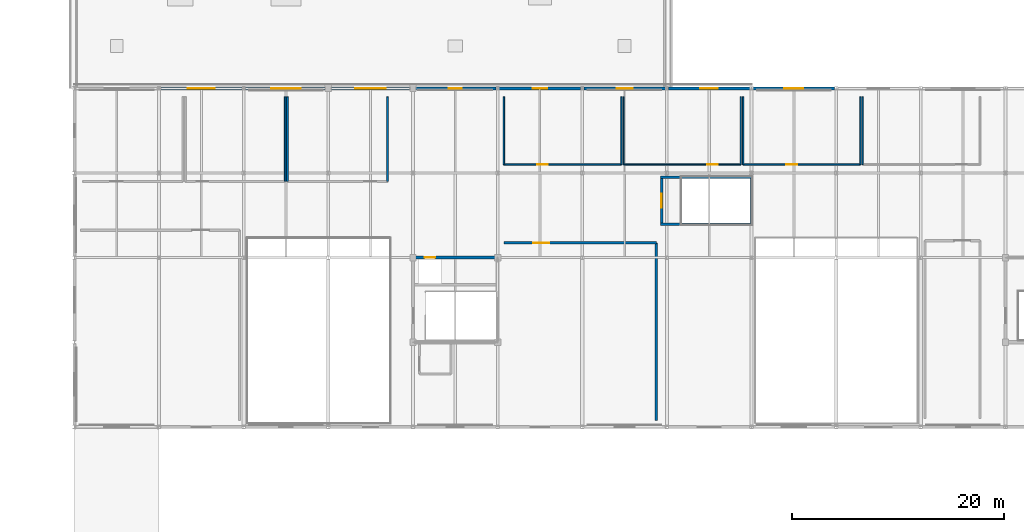
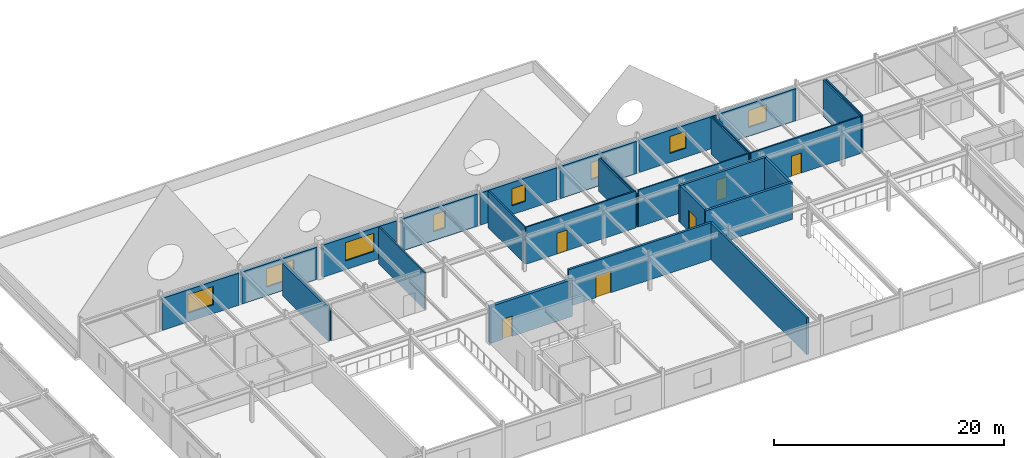
# One storey, part 80 of 88: 28 walls, 8 windows, 6 doors, 14 openings.
"""IFC4 building model written with IfcOpenShell, lengths in metres."""

from ifc_helpers import new_model, si_unit, direction, frame, frame_2d, origin, place, context, subcontext, project, spatial, rectangle, extrude, material, layer, layer_set, type_object, element, fill, save


model = new_model("IFC4")

# Units and contexts
model_context = context("Model", 3, precision=1e-05, world=origin(), true_north=direction((0.0, 1.0)))
body_context = subcontext(model_context, "Body", "Model", "MODEL_VIEW")
ifc_project = project(units=[si_unit("LENGTHUNIT", "METRE"), si_unit("AREAUNIT", "SQUARE_METRE"), si_unit("VOLUMEUNIT", "CUBIC_METRE"), si_unit("PLANEANGLEUNIT", "RADIAN"), si_unit("MASSUNIT", "GRAM", prefix="KILO")], contexts=[model_context])

# Site, building, storey
site_placement = place(None, origin())
site = spatial("IfcSite", under=ifc_project, at=site_placement, CompositionType="ELEMENT")
building_placement = place(site_placement, origin())
building = spatial("IfcBuilding", under=site, at=building_placement, Name="Zhaolan Boulevard Law Courts", CompositionType="ELEMENT")
storey_placement = place(building_placement, frame((0.0, 0.0, 16.199951171875)))
storey = spatial("IfcBuildingStorey", under=building, at=storey_placement, Name="L03", CompositionType="ELEMENT", Elevation=16.199951171875)

# Wall, opening, door
ifc_material_1 = material(Name="Concrete C50", Category="concrete")
ifc_layer_1 = layer(ifc_material_1, 0.300048828125)
ifc_layer_set_1 = layer_set([ifc_layer_1])
wall_type_1 = type_object("IfcWallType", Name="CORE SHEAR WALL 300", PredefinedType="SHEAR", material=ifc_layer_set_1)
wall_1_placement = place(storey_placement, frame((92.14990234375, 78.0, 0.0), z_axis=(0.0, 0.0, 1.0), x_axis=(-1.0, 0.0, 0.0)))
wall_1 = element("IfcWall", 1, at=wall_1_placement, inside=storey, type_object=wall_type_1, Name="Core Shear Wall CW-T1-L03N", PredefinedType="SHEAR", context=body_context, shape_type="SweptSolid", body=[
    extrude(rectangle(XDim=8.2998046875, YDim=0.300048828125, at=frame_2d((4.14990234375, 0.0))), origin(), (0.0, 0.0, 1.0), 3.920166015625),
])
opening_1_placement = place(wall_1_placement, frame((6.050048828125, 0.0, 0.0)))
opening_1 = element("IfcOpeningElement", 2, at=opening_1_placement, cuts=wall_1, Name="Opening LD-PL-03-L03", PredefinedType="OPENING", context=body_context, shape_type="SweptSolid", body=[
    extrude(rectangle(XDim=1.0, YDim=2.14990234375, at=frame_2d((0.5, 1.074951171875))), frame((0.0, 0.159912109375, 0.0), z_axis=(0.0, -1.0, 0.0), x_axis=(1.0, 0.0, 0.0)), (0.0, 0.0, 1.0), 0.320068359375),
])
ifc_material_2 = material(Name="Stainless steel sliding landing door", Category="steel")
door_type_1 = type_object("IfcDoorType", Name="LIFT LANDING 1000X2150", OperationType="DOUBLE_DOOR_SLIDING", PredefinedType="DOOR", material=ifc_material_2)
door_1_placement = place(opening_1_placement, origin())
door_1 = element("IfcDoor", 3, at=door_1_placement, inside=storey, type_object=door_type_1, Name="Lift Landing Sliding Door LD-PL-03-L03", OperationType="DOUBLE_DOOR_SLIDING", OverallHeight=2.14990234375, OverallWidth=1.0, PredefinedType="DOOR", context=body_context, shape_type="SweptSolid", body=[
    extrude(rectangle(XDim=1.0, YDim=2.14990234375, at=frame_2d((0.5, 1.074951171875))), frame((0.0, 0.02490234375, 0.0), z_axis=(0.0, -1.0, 0.0), x_axis=(1.0, 0.0, 0.0)), (0.0, 0.0, 1.0), 0.050048828125),
])
fill(opening_1, door_1)

# Wall, opening, window
ifc_material_3 = material(Name="Concrete C40", Category="concrete")
ifc_layer_2 = layer(ifc_material_3, 0.300048828125)
ifc_layer_set_2 = layer_set([ifc_layer_2])
wall_type_2 = type_object("IfcWallType", Name="EXT WALL CONCRETE300", PredefinedType="SOLIDWALL", material=ifc_layer_set_2)
wall_2_placement = place(storey_placement, frame((67.85400390625, 94.0, 0.0), z_axis=(0.0, 0.0, 1.0), x_axis=(-1.0, 0.0, 0.0)))
wall_2 = element("IfcWall", 4, at=wall_2_placement, inside=storey, type_object=wall_type_2, Name="Exterior Wall EW-L03-285", PredefinedType="SOLIDWALL", context=body_context, shape_type="SweptSolid", body=[
    extrude(rectangle(XDim=7.7080078125, YDim=0.300048828125, at=frame_2d((3.85400390625, 0.0))), origin(), (0.0, 0.0, 1.0), 3.423095703125),
])
opening_2_placement = place(wall_2_placement, frame((2.5791015625, 0.0, 0.949951171875)))
opening_2 = element("IfcOpeningElement", 5, at=opening_2_placement, cuts=wall_2, Name="Opening WIN-L03-142", PredefinedType="OPENING", context=body_context, shape_type="SweptSolid", body=[
    extrude(rectangle(XDim=2.550048828125, YDim=1.949951171875, at=frame_2d((1.27490234375, 0.97509765625))), frame((0.0, 0.159912109375, 0.0), z_axis=(0.0, -1.0, 0.0), x_axis=(1.0, 0.0, 0.0)), (0.0, 0.0, 1.0), 0.320068359375),
])
ifc_material_4 = material(Name="Thermally broken aluminium and low-E glazing", Category="aluminium")
window_type_1 = type_object("IfcWindowType", Name="WINDOW 2550X1950", PartitioningType="DOUBLE_PANEL_VERTICAL", PredefinedType="WINDOW", material=ifc_material_4)
window_1_placement = place(opening_2_placement, origin())
window_1 = element("IfcWindow", 6, at=window_1_placement, inside=storey, type_object=window_type_1, Name="Exterior Window WIN-L03-142", OverallHeight=1.949951171875, OverallWidth=2.550048828125, PartitioningType="SINGLE_PANEL", PredefinedType="WINDOW", context=body_context, shape_type="SweptSolid", body=[
    extrude(rectangle(XDim=2.550048828125, YDim=1.949951171875, at=frame_2d((1.27490234375, 0.97509765625))), frame((0.0, 0.030029296875, 0.0), z_axis=(0.0, -1.0, 0.0), x_axis=(1.0, 0.0, 0.0)), (0.0, 0.0, 1.0), 0.06005859375),
])
fill(opening_2, window_1)

wall_3_placement = place(storey_placement, frame((75.7041015625, 94.0, 0.0), z_axis=(0.0, 0.0, 1.0), x_axis=(-1.0, 0.0, 0.0)))
wall_3 = element("IfcWall", 7, at=wall_3_placement, inside=storey, type_object=wall_type_2, Name="Exterior Wall EW-L03-286", PredefinedType="SOLIDWALL", context=body_context, shape_type="SweptSolid", body=[
    extrude(rectangle(XDim=7.55810546875, YDim=0.300048828125, at=frame_2d((3.779052734375, 0.0))), origin(), (0.0, 0.0, 1.0), 3.423095703125),
])
opening_3_placement = place(wall_3_placement, frame((2.3291015625, 0.0, 0.949951171875)))
opening_3 = element("IfcOpeningElement", 8, at=opening_3_placement, cuts=wall_3, Name="Opening WIN-L03-143", PredefinedType="OPENING", context=body_context, shape_type="SweptSolid", body=[
    extrude(rectangle(XDim=2.75, YDim=1.949951171875, at=frame_2d((1.375, 0.97509765625))), frame((0.0, 0.159912109375, 0.0), z_axis=(0.0, -1.0, 0.0), x_axis=(1.0, 0.0, 0.0)), (0.0, 0.0, 1.0), 0.320068359375),
])
ifc_material_5 = material(Name="Thermally broken aluminium and low-E glazing", Category="aluminium")
window_type_2 = type_object("IfcWindowType", Name="WINDOW 2750X1950", PartitioningType="DOUBLE_PANEL_VERTICAL", PredefinedType="WINDOW", material=ifc_material_5)
window_2_placement = place(opening_3_placement, origin())
window_2 = element("IfcWindow", 9, at=window_2_placement, inside=storey, type_object=window_type_2, Name="Exterior Window WIN-L03-143", OverallHeight=1.949951171875, OverallWidth=2.75, PartitioningType="SINGLE_PANEL", PredefinedType="WINDOW", context=body_context, shape_type="SweptSolid", body=[
    extrude(rectangle(XDim=2.75, YDim=1.949951171875, at=frame_2d((1.375, 0.97509765625))), frame((0.0, 0.030029296875, 0.0), z_axis=(0.0, -1.0, 0.0), x_axis=(1.0, 0.0, 0.0)), (0.0, 0.0, 1.0), 0.06005859375),
])
fill(opening_3, window_2)

wall_4_placement = place(storey_placement, frame((83.7041015625, 94.0, 0.0), z_axis=(0.0, 0.0, 1.0), x_axis=(-1.0, 0.0, 0.0)))
wall_4 = element("IfcWall", 10, at=wall_4_placement, inside=storey, type_object=wall_type_2, Name="Exterior Wall EW-L03-287", PredefinedType="SOLIDWALL", context=body_context, shape_type="SweptSolid", body=[
    extrude(rectangle(XDim=7.408203125, YDim=0.300048828125, at=frame_2d((3.7041015625, 0.0))), origin(), (0.0, 0.0, 1.0), 3.423095703125),
])
opening_4_placement = place(wall_4_placement, frame((2.25390625, 0.0, 0.949951171875)))
opening_4 = element("IfcOpeningElement", 11, at=opening_4_placement, cuts=wall_4, Name="Opening WIN-L03-144", PredefinedType="OPENING", context=body_context, shape_type="SweptSolid", body=[
    extrude(rectangle(XDim=2.89990234375, YDim=1.949951171875, at=frame_2d((1.449951171875, 0.97509765625))), frame((0.0, 0.159912109375, 0.0), z_axis=(0.0, -1.0, 0.0), x_axis=(1.0, 0.0, 0.0)), (0.0, 0.0, 1.0), 0.320068359375),
])
ifc_material_6 = material(Name="Thermally broken aluminium and low-E glazing", Category="aluminium")
window_type_3 = type_object("IfcWindowType", Name="WINDOW 2900X1950", PartitioningType="DOUBLE_PANEL_VERTICAL", PredefinedType="WINDOW", material=ifc_material_6)
window_3_placement = place(opening_4_placement, origin())
window_3 = element("IfcWindow", 12, at=window_3_placement, inside=storey, type_object=window_type_3, Name="Exterior Window WIN-L03-144", OverallHeight=1.949951171875, OverallWidth=2.89990234375, PartitioningType="SINGLE_PANEL", PredefinedType="WINDOW", context=body_context, shape_type="SweptSolid", body=[
    extrude(rectangle(XDim=2.89990234375, YDim=1.949951171875, at=frame_2d((1.449951171875, 0.97509765625))), frame((0.0, 0.030029296875, 0.0), z_axis=(0.0, -1.0, 0.0), x_axis=(1.0, 0.0, 0.0)), (0.0, 0.0, 1.0), 0.06005859375),
])
fill(opening_4, window_3)

wall_5_placement = place(storey_placement, frame((91.85400390625, 94.0, 0.0), z_axis=(0.0, 0.0, 1.0), x_axis=(-1.0, 0.0, 0.0)))
wall_5 = element("IfcWall", 13, at=wall_5_placement, inside=storey, type_object=wall_type_2, Name="Exterior Wall EW-L03-288", PredefinedType="SOLIDWALL", context=body_context, shape_type="SweptSolid", body=[
    extrude(rectangle(XDim=7.55810546875, YDim=0.300048828125, at=frame_2d((3.779052734375, 0.0))), origin(), (0.0, 0.0, 1.0), 3.423095703125),
])
opening_5_placement = place(wall_5_placement, frame((3.25390625, 0.0, 0.949951171875)))
opening_5 = element("IfcOpeningElement", 14, at=opening_5_placement, cuts=wall_5, Name="Opening WIN-L03-145", PredefinedType="OPENING", context=body_context, shape_type="SweptSolid", body=[
    extrude(rectangle(XDim=1.199951171875, YDim=1.800048828125, at=frame_2d((0.60009765625, 0.89990234375))), frame((0.0, 0.159912109375, 0.0), z_axis=(0.0, -1.0, 0.0), x_axis=(1.0, 0.0, 0.0)), (0.0, 0.0, 1.0), 0.320068359375),
])
ifc_material_7 = material(Name="Thermally broken aluminium and low-E glazing", Category="aluminium")
window_type_4 = type_object("IfcWindowType", Name="WINDOW 1200X1800", PartitioningType="SINGLE_PANEL", PredefinedType="WINDOW", material=ifc_material_7)
window_4_placement = place(opening_5_placement, origin())
window_4 = element("IfcWindow", 15, at=window_4_placement, inside=storey, type_object=window_type_4, Name="Exterior Window WIN-L03-145", OverallHeight=1.800048828125, OverallWidth=1.199951171875, PartitioningType="SINGLE_PANEL", PredefinedType="WINDOW", context=body_context, shape_type="SweptSolid", body=[
    extrude(rectangle(XDim=1.199951171875, YDim=1.800048828125, at=frame_2d((0.60009765625, 0.89990234375))), frame((0.0, 0.030029296875, 0.0), z_axis=(0.0, -1.0, 0.0), x_axis=(1.0, 0.0, 0.0)), (0.0, 0.0, 1.0), 0.06005859375),
])
fill(opening_5, window_4)

wall_6_placement = place(storey_placement, frame((99.85400390625, 94.0, 0.0), z_axis=(0.0, 0.0, 1.0), x_axis=(-1.0, 0.0, 0.0)))
wall_6 = element("IfcWall", 16, at=wall_6_placement, inside=storey, type_object=wall_type_2, Name="Exterior Wall EW-L03-289", PredefinedType="SOLIDWALL", context=body_context, shape_type="SweptSolid", body=[
    extrude(rectangle(XDim=7.7080078125, YDim=0.300048828125, at=frame_2d((3.85400390625, 0.0))), origin(), (0.0, 0.0, 1.0), 3.423095703125),
])
opening_6_placement = place(wall_6_placement, frame((3.178955078125, 0.0, 0.949951171875)))
opening_6 = element("IfcOpeningElement", 17, at=opening_6_placement, cuts=wall_6, Name="Opening WIN-L03-146", PredefinedType="OPENING", context=body_context, shape_type="SweptSolid", body=[
    extrude(rectangle(XDim=1.35009765625, YDim=1.800048828125, at=frame_2d((0.675048828125, 0.89990234375))), frame((0.0, 0.159912109375, 0.0), z_axis=(0.0, -1.0, 0.0), x_axis=(1.0, 0.0, 0.0)), (0.0, 0.0, 1.0), 0.320068359375),
])
ifc_material_8 = material(Name="Thermally broken aluminium and low-E glazing", Category="aluminium")
window_type_5 = type_object("IfcWindowType", Name="WINDOW 1350X1800", PartitioningType="SINGLE_PANEL", PredefinedType="WINDOW", material=ifc_material_8)
window_5_placement = place(opening_6_placement, origin())
window_5 = element("IfcWindow", 18, at=window_5_placement, inside=storey, type_object=window_type_5, Name="Exterior Window WIN-L03-146", OverallHeight=1.800048828125, OverallWidth=1.35009765625, PartitioningType="SINGLE_PANEL", PredefinedType="WINDOW", context=body_context, shape_type="SweptSolid", body=[
    extrude(rectangle(XDim=1.35009765625, YDim=1.800048828125, at=frame_2d((0.675048828125, 0.89990234375))), frame((0.0, 0.030029296875, 0.0), z_axis=(0.0, -1.0, 0.0), x_axis=(1.0, 0.0, 0.0)), (0.0, 0.0, 1.0), 0.06005859375),
])
fill(opening_6, window_5)

wall_7_placement = place(storey_placement, frame((107.85400390625, 94.0, 0.0), z_axis=(0.0, 0.0, 1.0), x_axis=(-1.0, 0.0, 0.0)))
wall_7 = element("IfcWall", 19, at=wall_7_placement, inside=storey, type_object=wall_type_2, Name="Exterior Wall EW-L03-290", PredefinedType="SOLIDWALL", context=body_context, shape_type="SweptSolid", body=[
    extrude(rectangle(XDim=7.7080078125, YDim=0.300048828125, at=frame_2d((3.85400390625, 0.0))), origin(), (0.0, 0.0, 1.0), 3.423095703125),
])
opening_7_placement = place(wall_7_placement, frame((3.10400390625, 0.0, 0.949951171875)))
opening_7 = element("IfcOpeningElement", 20, at=opening_7_placement, cuts=wall_7, Name="Opening WIN-L03-147", PredefinedType="OPENING", context=body_context, shape_type="SweptSolid", body=[
    extrude(rectangle(XDim=1.5, YDim=1.800048828125, at=frame_2d((0.75, 0.89990234375))), frame((0.0, 0.159912109375, 0.0), z_axis=(0.0, -1.0, 0.0), x_axis=(1.0, 0.0, 0.0)), (0.0, 0.0, 1.0), 0.320068359375),
])
ifc_material_9 = material(Name="Thermally broken aluminium and low-E glazing", Category="aluminium")
window_type_6 = type_object("IfcWindowType", Name="WINDOW 1500X1800", PartitioningType="SINGLE_PANEL", PredefinedType="WINDOW", material=ifc_material_9)
window_6_placement = place(opening_7_placement, origin())
window_6 = element("IfcWindow", 21, at=window_6_placement, inside=storey, type_object=window_type_6, Name="Exterior Window WIN-L03-147", OverallHeight=1.800048828125, OverallWidth=1.5, PartitioningType="SINGLE_PANEL", PredefinedType="WINDOW", context=body_context, shape_type="SweptSolid", body=[
    extrude(rectangle(XDim=1.5, YDim=1.800048828125, at=frame_2d((0.75, 0.89990234375))), frame((0.0, 0.030029296875, 0.0), z_axis=(0.0, -1.0, 0.0), x_axis=(1.0, 0.0, 0.0)), (0.0, 0.0, 1.0), 0.06005859375),
])
fill(opening_7, window_6)

wall_8_placement = place(storey_placement, frame((115.85400390625, 94.0, 0.0), z_axis=(0.0, 0.0, 1.0), x_axis=(-1.0, 0.0, 0.0)))
wall_8 = element("IfcWall", 22, at=wall_8_placement, inside=storey, type_object=wall_type_2, Name="Exterior Wall EW-L03-291", PredefinedType="SOLIDWALL", context=body_context, shape_type="SweptSolid", body=[
    extrude(rectangle(XDim=7.7080078125, YDim=0.300048828125, at=frame_2d((3.85400390625, 0.0))), origin(), (0.0, 0.0, 1.0), 3.423095703125),
])
opening_8_placement = place(wall_8_placement, frame((3.029052734375, 0.0, 0.949951171875)))
opening_8 = element("IfcOpeningElement", 23, at=opening_8_placement, cuts=wall_8, Name="Opening WIN-L03-148", PredefinedType="OPENING", context=body_context, shape_type="SweptSolid", body=[
    extrude(rectangle(XDim=1.64990234375, YDim=1.800048828125, at=frame_2d((0.824951171875, 0.89990234375))), frame((0.0, 0.159912109375, 0.0), z_axis=(0.0, -1.0, 0.0), x_axis=(1.0, 0.0, 0.0)), (0.0, 0.0, 1.0), 0.320068359375),
])
ifc_material_10 = material(Name="Thermally broken aluminium and low-E glazing", Category="aluminium")
window_type_7 = type_object("IfcWindowType", Name="WINDOW 1650X1800", PartitioningType="SINGLE_PANEL", PredefinedType="WINDOW", material=ifc_material_10)
window_7_placement = place(opening_8_placement, origin())
window_7 = element("IfcWindow", 24, at=window_7_placement, inside=storey, type_object=window_type_7, Name="Exterior Window WIN-L03-148", OverallHeight=1.800048828125, OverallWidth=1.64990234375, PartitioningType="SINGLE_PANEL", PredefinedType="WINDOW", context=body_context, shape_type="SweptSolid", body=[
    extrude(rectangle(XDim=1.64990234375, YDim=1.800048828125, at=frame_2d((0.824951171875, 0.89990234375))), frame((0.0, 0.030029296875, 0.0), z_axis=(0.0, -1.0, 0.0), x_axis=(1.0, 0.0, 0.0)), (0.0, 0.0, 1.0), 0.06005859375),
])
fill(opening_8, window_7)

wall_9_placement = place(storey_placement, frame((123.85400390625, 94.0, 0.0), z_axis=(0.0, 0.0, 1.0), x_axis=(-1.0, 0.0, 0.0)))
wall_9 = element("IfcWall", 25, at=wall_9_placement, inside=storey, type_object=wall_type_2, Name="Exterior Wall EW-L03-292", PredefinedType="SOLIDWALL", context=body_context, shape_type="SweptSolid", body=[
    extrude(rectangle(XDim=7.7080078125, YDim=0.300048828125, at=frame_2d((3.85400390625, 0.0))), origin(), (0.0, 0.0, 1.0), 3.423095703125),
])
opening_9_placement = place(wall_9_placement, frame((2.9541015625, 0.0, 0.949951171875)))
opening_9 = element("IfcOpeningElement", 26, at=opening_9_placement, cuts=wall_9, Name="Opening WIN-L03-149", PredefinedType="OPENING", context=body_context, shape_type="SweptSolid", body=[
    extrude(rectangle(XDim=1.800048828125, YDim=1.800048828125, at=frame_2d((0.89990234375, 0.89990234375))), frame((0.0, 0.159912109375, 0.0), z_axis=(0.0, -1.0, 0.0), x_axis=(1.0, 0.0, 0.0)), (0.0, 0.0, 1.0), 0.320068359375),
])
ifc_material_11 = material(Name="Thermally broken aluminium and low-E glazing", Category="aluminium")
window_type_8 = type_object("IfcWindowType", Name="WINDOW 1800X1800", PartitioningType="DOUBLE_PANEL_VERTICAL", PredefinedType="WINDOW", material=ifc_material_11)
window_8_placement = place(opening_9_placement, origin())
window_8 = element("IfcWindow", 27, at=window_8_placement, inside=storey, type_object=window_type_8, Name="Exterior Window WIN-L03-149", OverallHeight=1.800048828125, OverallWidth=1.800048828125, PartitioningType="SINGLE_PANEL", PredefinedType="WINDOW", context=body_context, shape_type="SweptSolid", body=[
    extrude(rectangle(XDim=1.800048828125, YDim=1.800048828125, at=frame_2d((0.89990234375, 0.89990234375))), frame((0.0, 0.030029296875, 0.0), z_axis=(0.0, -1.0, 0.0), x_axis=(1.0, 0.0, 0.0)), (0.0, 0.0, 1.0), 0.06005859375),
])
fill(opening_9, window_8)

# Walls
ifc_material_12 = material(Name="Fire-rated gypsum stud partition")
ifc_layer_3 = layer(ifc_material_12, 0.159912109375)
ifc_layer_set_3 = layer_set([ifc_layer_3])
wall_type_3 = type_object("IfcWallType", Name="PART WALL CHAMB160", PredefinedType="PARTITIONING", material=ifc_layer_set_3)
for number, where, z_axis, x_axis, name in (
    (28, (71.927001953125, 85.199951171875, 0.0), (0.0, 0.0, 1.0), (0.0, 1.0, 0.0), "Interior Partition PW-L03-529"),
    (29, (72.14697265625, 93.199951171875, 0.0), (0.0, 0.0, 1.0), (0.0, -1.0, 0.0), "Interior Partition PW-L03-531"),
):
    element("IfcWall", number, at=place(storey_placement, frame(where, z_axis=z_axis, x_axis=x_axis)), inside=storey, type_object=wall_type_3, Name=name, PredefinedType="PARTITIONING", context=body_context, shape_type="SweptSolid", body=[
        extrude(rectangle(XDim=8.0, YDim=0.159912109375, at=frame_2d((4.0, 0.0))), origin(), (0.0, 0.0, 1.0), 3.43212890625),
    ])
wall_10_placement = place(storey_placement, frame((81.60009765625, 85.199951171875, 0.0), z_axis=(0.0, 0.0, 1.0), x_axis=(0.0, 1.0, 0.0)))
element("IfcWall", 30, at=wall_10_placement, inside=storey, type_object=wall_type_3, Name="Interior Partition PW-L03-532", PredefinedType="PARTITIONING", context=body_context, shape_type="SweptSolid", body=[
    extrude(rectangle(XDim=8.0, YDim=0.159912109375, at=frame_2d((4.0, 0.0))), origin(), (0.0, 0.0, 1.0), 3.920166015625),
])

# Wall, opening, door
ifc_material_13 = material(Name="Concrete C40", Category="concrete")
ifc_layer_4 = layer(ifc_material_13, 0.219970703125)
ifc_layer_set_4 = layer_set([ifc_layer_4])
wall_type_4 = type_object("IfcWallType", Name="PART WALL COURT220", PredefinedType="PARTITIONING", material=ifc_layer_set_4)
wall_11_placement = place(storey_placement, frame((107.0, 79.39990234375, 0.0), z_axis=(0.0, 0.0, 1.0), x_axis=(-1.0, 0.0, 0.0)))
wall_11 = element("IfcWall", 31, at=wall_11_placement, inside=storey, type_object=wall_type_4, Name="Interior Partition PW-L03-523", PredefinedType="PARTITIONING", context=body_context, shape_type="SweptSolid", body=[
    extrude(rectangle(XDim=14.39990234375, YDim=0.219970703125, at=frame_2d((7.199951171875, 0.0))), origin(), (0.0, 0.0, 1.0), 3.920166015625),
])
opening_10_placement = place(wall_11_placement, frame((10.139892578125, 0.0, 0.0)))
opening_10 = element("IfcOpeningElement", 32, at=opening_10_placement, cuts=wall_11, Name="Opening ID-L03-164", PredefinedType="OPENING", context=body_context, shape_type="SweptSolid", body=[
    extrude(rectangle(XDim=1.5, YDim=2.300048828125, at=frame_2d((0.75, 1.14990234375))), frame((0.0, 0.119873046875, 0.0), z_axis=(0.0, -1.0, 0.0), x_axis=(1.0, 0.0, 0.0)), (0.0, 0.0, 1.0), 0.239990234375),
])
ifc_material_14 = material(Name="Solid-core acoustic oak veneer door")
door_type_2 = type_object("IfcDoorType", Name="COURT DOUBLE 1500X2300", OperationType="DOUBLE_DOOR_SINGLE_SWING", PredefinedType="DOOR", material=ifc_material_14)
door_2_placement = place(opening_10_placement, origin())
door_2 = element("IfcDoor", 33, at=door_2_placement, inside=storey, type_object=door_type_2, Name="Door ID-L03-164 (Intellectual Property Courtroom 17)", OperationType="DOUBLE_DOOR_SINGLE_SWING", OverallHeight=2.300048828125, OverallWidth=1.5, PredefinedType="DOOR", context=body_context, shape_type="SweptSolid", body=[
    extrude(rectangle(XDim=1.5, YDim=2.300048828125, at=frame_2d((0.75, 1.14990234375))), frame((0.0, 0.02490234375, 0.0), z_axis=(0.0, -1.0, 0.0), x_axis=(1.0, 0.0, 0.0)), (0.0, 0.0, 1.0), 0.050048828125),
])
fill(opening_10, door_2)

# Wall
wall_12_placement = place(storey_placement, frame((107.0, 62.60009765625, 0.0), z_axis=(0.0, 0.0, 1.0), x_axis=(0.0, 1.0, 0.0)))
element("IfcWall", 34, at=wall_12_placement, inside=storey, type_object=wall_type_4, Name="Interior Partition PW-L03-524", PredefinedType="PARTITIONING", context=body_context, shape_type="SweptSolid", body=[
    extrude(rectangle(XDim=16.7998046875, YDim=0.219970703125, at=frame_2d((8.39990234375, 0.0))), origin(), (0.0, 0.0, 1.0), 3.920166015625),
])

# Wall, opening, door
ifc_material_15 = material(Name="Gypsum board stud partition")
ifc_layer_5 = layer(ifc_material_15, 0.1201171875)
ifc_layer_set_5 = layer_set([ifc_layer_5])
wall_type_5 = type_object("IfcWallType", Name="PART WALL LIGHT120", PredefinedType="PARTITIONING", material=ifc_layer_set_5)
wall_13_placement = place(storey_placement, frame((103.905029296875, 86.800048828125, 0.0), z_axis=(0.0, 0.0, 1.0), x_axis=(1.0, 0.0, 0.0)))
wall_13 = element("IfcWall", 35, at=wall_13_placement, inside=storey, type_object=wall_type_5, Name="Interior Partition PW-L03-536", PredefinedType="PARTITIONING", context=body_context, shape_type="SweptSolid", body=[
    extrude(rectangle(XDim=11.0849609375, YDim=0.1201171875, at=frame_2d((5.54248046875, 0.0))), origin(), (0.0, 0.0, 1.0), 3.920166015625),
])
opening_11_placement = place(wall_13_placement, frame((7.904052734375, 0.0, 0.0)))
opening_11 = element("IfcOpeningElement", 36, at=opening_11_placement, cuts=wall_13, Name="Opening JD-L03-169", PredefinedType="OPENING", context=body_context, shape_type="SweptSolid", body=[
    extrude(rectangle(XDim=0.97998046875, YDim=2.199951171875, at=frame_2d((0.489990234375, 1.10009765625))), frame((0.0, 0.070068359375, 0.0), z_axis=(0.0, -1.0, 0.0), x_axis=(1.0, 0.0, 0.0)), (0.0, 0.0, 1.0), 0.14013671875),
])
ifc_material_16 = material(Name="Solid-core acoustic oak veneer door")
door_type_3 = type_object("IfcDoorType", Name="CHAMBER DOOR 980X2200 R", OperationType="SINGLE_SWING_RIGHT", PredefinedType="DOOR", material=ifc_material_16)
door_3_placement = place(opening_11_placement, origin())
door_3 = element("IfcDoor", 37, at=door_3_placement, inside=storey, type_object=door_type_3, Name="Door JD-L03-169 (Judges' Chambers L03-02)", OperationType="SINGLE_SWING_RIGHT", OverallHeight=2.199951171875, OverallWidth=0.97998046875, PredefinedType="DOOR", context=body_context, shape_type="SweptSolid", body=[
    extrude(rectangle(XDim=0.97998046875, YDim=2.199951171875, at=frame_2d((0.489990234375, 1.10009765625))), frame((0.0, 0.02490234375, 0.0), z_axis=(0.0, -1.0, 0.0), x_axis=(1.0, 0.0, 0.0)), (0.0, 0.0, 1.0), 0.050048828125),
])
fill(opening_11, door_3)

# Walls
wall_14_placement = place(storey_placement, frame((103.905029296875, 93.199951171875, 0.0), z_axis=(0.0, 0.0, 1.0), x_axis=(0.0, -1.0, 0.0)))
element("IfcWall", 38, at=wall_14_placement, inside=storey, type_object=wall_type_5, Name="Interior Partition PW-L03-537", PredefinedType="PARTITIONING", context=body_context, shape_type="SweptSolid", body=[
    extrude(rectangle(XDim=6.39990234375, YDim=0.1201171875, at=frame_2d((3.199951171875, 0.0))), origin(), (0.0, 0.0, 1.0), 3.47607421875),
])
for number, where, z_axis, x_axis, name in (
    (39, (114.989990234375, 86.800048828125, 0.0), (0.0, 0.0, 1.0), (0.0, 1.0, 0.0), "Interior Partition PW-L03-538"),
    (40, (126.514892578125, 93.199951171875, 0.0), (0.0, 0.0, 1.0), (0.0, -1.0, 0.0), "Interior Partition PW-L03-543"),
):
    element("IfcWall", number, at=place(storey_placement, frame(where, z_axis=z_axis, x_axis=x_axis)), inside=storey, type_object=wall_type_5, Name=name, PredefinedType="PARTITIONING", context=body_context, shape_type="SweptSolid", body=[
        extrude(rectangle(XDim=6.39990234375, YDim=0.1201171875, at=frame_2d((3.199951171875, 0.0))), origin(), (0.0, 0.0, 1.0), 3.920166015625),
    ])

# Wall, opening, door
ifc_material_17 = material(Name="Fire-rated gypsum stud partition")
ifc_layer_6 = layer(ifc_material_17, 0.139892578125)
ifc_layer_set_6 = layer_set([ifc_layer_6])
wall_type_6 = type_object("IfcWallType", Name="PART WALL OFFICE140", PredefinedType="PARTITIONING", material=ifc_layer_set_6)
wall_15_placement = place(storey_placement, frame((92.60009765625, 86.800048828125, 0.0), z_axis=(0.0, 0.0, 1.0), x_axis=(1.0, 0.0, 0.0)))
wall_15 = element("IfcWall", 41, at=wall_15_placement, inside=storey, type_object=wall_type_6, Name="Interior Partition PW-L03-533", PredefinedType="PARTITIONING", context=body_context, shape_type="SweptSolid", body=[
    extrude(rectangle(XDim=11.0849609375, YDim=0.139892578125, at=frame_2d((5.54248046875, 0.0))), origin(), (0.0, 0.0, 1.0), 3.920166015625),
])
opening_12_placement = place(wall_15_placement, frame((3.14599609375, 0.0, 0.0)))
opening_12 = element("IfcOpeningElement", 42, at=opening_12_placement, cuts=wall_15, Name="Opening JD-L03-168", PredefinedType="OPENING", context=body_context, shape_type="SweptSolid", body=[
    extrude(rectangle(XDim=1.0, YDim=2.199951171875, at=frame_2d((0.5, 1.10009765625))), frame((0.0, 0.079833984375, 0.0), z_axis=(0.0, -1.0, 0.0), x_axis=(1.0, 0.0, 0.0)), (0.0, 0.0, 1.0), 0.159912109375),
])
ifc_material_18 = material(Name="Solid-core acoustic oak veneer door")
door_type_4 = type_object("IfcDoorType", Name="CHAMBER DOOR 1000X2200 L", OperationType="SINGLE_SWING_LEFT", PredefinedType="DOOR", material=ifc_material_18)
door_4_placement = place(opening_12_placement, origin())
door_4 = element("IfcDoor", 43, at=door_4_placement, inside=storey, type_object=door_type_4, Name="Door JD-L03-168 (Judges' Chambers L03-01)", OperationType="SINGLE_SWING_LEFT", OverallHeight=2.199951171875, OverallWidth=1.0, PredefinedType="DOOR", context=body_context, shape_type="SweptSolid", body=[
    extrude(rectangle(XDim=1.0, YDim=2.199951171875, at=frame_2d((0.5, 1.10009765625))), frame((0.0, 0.02490234375, 0.0), z_axis=(0.0, -1.0, 0.0), x_axis=(1.0, 0.0, 0.0)), (0.0, 0.0, 1.0), 0.050048828125),
])
fill(opening_12, door_4)

# Walls
wall_16_placement = place(storey_placement, frame((92.60009765625, 93.199951171875, 0.0), z_axis=(0.0, 0.0, 1.0), x_axis=(0.0, -1.0, 0.0)))
element("IfcWall", 44, at=wall_16_placement, inside=storey, type_object=wall_type_6, Name="Interior Partition PW-L03-534", PredefinedType="PARTITIONING", context=body_context, shape_type="SweptSolid", body=[
    extrude(rectangle(XDim=6.39990234375, YDim=0.139892578125, at=frame_2d((3.199951171875, 0.0))), origin(), (0.0, 0.0, 1.0), 3.920166015625),
])
wall_17_placement = place(storey_placement, frame((103.68505859375, 86.800048828125, 0.0), z_axis=(0.0, 0.0, 1.0), x_axis=(0.0, 1.0, 0.0)))
element("IfcWall", 45, at=wall_17_placement, inside=storey, type_object=wall_type_6, Name="Interior Partition PW-L03-535", PredefinedType="PARTITIONING", context=body_context, shape_type="SweptSolid", body=[
    extrude(rectangle(XDim=6.39990234375, YDim=0.139892578125, at=frame_2d((3.199951171875, 0.0))), origin(), (0.0, 0.0, 1.0), 3.47607421875),
])

# Wall, opening, door
wall_18_placement = place(storey_placement, frame((115.2099609375, 86.800048828125, 0.0), z_axis=(0.0, 0.0, 1.0), x_axis=(1.0, 0.0, 0.0)))
wall_18 = element("IfcWall", 46, at=wall_18_placement, inside=storey, type_object=wall_type_6, Name="Interior Partition PW-L03-539", PredefinedType="PARTITIONING", context=body_context, shape_type="SweptSolid", body=[
    extrude(rectangle(XDim=11.0849609375, YDim=0.139892578125, at=frame_2d((5.54248046875, 0.0))), origin(), (0.0, 0.0, 1.0), 3.920166015625),
])
opening_13_placement = place(wall_18_placement, frame((4.093994140625, 0.0, 0.0)))
opening_13 = element("IfcOpeningElement", 47, at=opening_13_placement, cuts=wall_18, Name="Opening JD-L03-170", PredefinedType="OPENING", context=body_context, shape_type="SweptSolid", body=[
    extrude(rectangle(XDim=1.0, YDim=2.14990234375, at=frame_2d((0.5, 1.074951171875))), frame((0.0, 0.079833984375, 0.0), z_axis=(0.0, -1.0, 0.0), x_axis=(1.0, 0.0, 0.0)), (0.0, 0.0, 1.0), 0.159912109375),
])
ifc_material_19 = material(Name="Solid-core acoustic oak veneer door")
door_type_5 = type_object("IfcDoorType", Name="CHAMBER DOOR 1000X2150 L", OperationType="SINGLE_SWING_LEFT", PredefinedType="DOOR", material=ifc_material_19)
door_5_placement = place(opening_13_placement, origin())
door_5 = element("IfcDoor", 48, at=door_5_placement, inside=storey, type_object=door_type_5, Name="Door JD-L03-170 (Judges' Chambers L03-03)", OperationType="SINGLE_SWING_LEFT", OverallHeight=2.14990234375, OverallWidth=1.0, PredefinedType="DOOR", context=body_context, shape_type="SweptSolid", body=[
    extrude(rectangle(XDim=1.0, YDim=2.14990234375, at=frame_2d((0.5, 1.074951171875))), frame((0.0, 0.02490234375, 0.0), z_axis=(0.0, -1.0, 0.0), x_axis=(1.0, 0.0, 0.0)), (0.0, 0.0, 1.0), 0.050048828125),
])
fill(opening_13, door_5)

# Walls
for number, where, z_axis, x_axis, name in (
    (49, (115.2099609375, 93.199951171875, 0.0), (0.0, 0.0, 1.0), (0.0, -1.0, 0.0), "Interior Partition PW-L03-540"),
    (50, (126.294921875, 86.800048828125, 0.0), (0.0, 0.0, 1.0), (0.0, 1.0, 0.0), "Interior Partition PW-L03-541"),
):
    element("IfcWall", number, at=place(storey_placement, frame(where, z_axis=z_axis, x_axis=x_axis)), inside=storey, type_object=wall_type_6, Name=name, PredefinedType="PARTITIONING", context=body_context, shape_type="SweptSolid", body=[
        extrude(rectangle(XDim=6.39990234375, YDim=0.139892578125, at=frame_2d((3.199951171875, 0.0))), origin(), (0.0, 0.0, 1.0), 3.920166015625),
    ])
ifc_material_20 = material(Name="Concrete C50", Category="concrete")
ifc_layer_7 = layer(ifc_material_20, 0.239990234375)
ifc_layer_set_7 = layer_set([ifc_layer_7])
wall_type_7 = type_object("IfcWallType", Name="STAIR WELL WALL 240", PredefinedType="SHEAR", material=ifc_layer_set_7)
for number, where, z_axis, x_axis, name in (
    (51, (107.3798828125, 81.14990234375, 0.0), (0.0, 0.0, 1.0), (1.0, 0.0, 0.0), "Stairwell Shear Wall ST13-L03S"),
    (52, (116.1201171875, 85.60009765625, 0.0), (0.0, 0.0, 1.0), (-1.0, 0.0, 0.0), "Stairwell Shear Wall ST13-L03N"),
):
    element("IfcWall", number, at=place(storey_placement, frame(where, z_axis=z_axis, x_axis=x_axis)), inside=storey, type_object=wall_type_7, Name=name, PredefinedType="SHEAR", context=body_context, shape_type="SweptSolid", body=[
        extrude(rectangle(XDim=8.740234375, YDim=0.239990234375, at=frame_2d((4.3701171875, 0.0))), origin(), (0.0, 0.0, 1.0), 3.949951171875),
    ])

# Wall, opening, door
wall_19_placement = place(storey_placement, frame((107.5, 81.27001953125, 0.0), z_axis=(0.0, 0.0, 1.0), x_axis=(0.0, 1.0, 0.0)))
wall_19 = element("IfcWall", 53, at=wall_19_placement, inside=storey, type_object=wall_type_7, Name="Stairwell Shear Wall ST13-L03W", PredefinedType="SHEAR", context=body_context, shape_type="SweptSolid", body=[
    extrude(rectangle(XDim=4.2099609375, YDim=0.239990234375, at=frame_2d((2.10498046875, 0.0))), origin(), (0.0, 0.0, 1.0), 3.949951171875),
])
opening_14_placement = place(wall_19_placement, frame((1.429931640625, 0.0, 0.0)))
opening_14 = element("IfcOpeningElement", 54, at=opening_14_placement, cuts=wall_19, Name="Opening SD-L03-66", PredefinedType="OPENING", context=body_context, shape_type="SweptSolid", body=[
    extrude(rectangle(XDim=1.35009765625, YDim=2.199951171875, at=frame_2d((0.675048828125, 1.10009765625))), frame((0.0, 0.1298828125, 0.0), z_axis=(0.0, -1.0, 0.0), x_axis=(1.0, 0.0, 0.0)), (0.0, 0.0, 1.0), 0.260009765625),
])
ifc_material_21 = material(Name="Fire-rated steel acoustic door", Category="steel")
door_type_6 = type_object("IfcDoorType", Name="STAIR FIRE 1350X2200 R", OperationType="SINGLE_SWING_RIGHT", PredefinedType="DOOR", material=ifc_material_21)
door_6_placement = place(opening_14_placement, origin())
door_6 = element("IfcDoor", 55, at=door_6_placement, inside=storey, type_object=door_type_6, Name="Smoke-Proof Stairwell Fire Door SD-L03-66", OperationType="SINGLE_SWING_RIGHT", OverallHeight=2.199951171875, OverallWidth=1.35009765625, PredefinedType="DOOR", context=body_context, shape_type="SweptSolid", body=[
    extrude(rectangle(XDim=1.35009765625, YDim=2.199951171875, at=frame_2d((0.675048828125, 1.10009765625))), frame((0.0, 0.02490234375, 0.0), z_axis=(0.0, -1.0, 0.0), x_axis=(1.0, 0.0, 0.0)), (0.0, 0.0, 1.0), 0.050048828125),
])
fill(opening_14, door_6)

# Wall
wall_20_placement = place(storey_placement, frame((116.0, 81.27001953125, 0.0), z_axis=(0.0, 0.0, 1.0), x_axis=(0.0, 1.0, 0.0)))
element("IfcWall", 56, at=wall_20_placement, inside=storey, type_object=wall_type_7, Name="Stairwell Shear Wall ST13-L03E", PredefinedType="SHEAR", context=body_context, shape_type="SweptSolid", body=[
    extrude(rectangle(XDim=4.2099609375, YDim=0.239990234375, at=frame_2d((2.10498046875, 0.0))), origin(), (0.0, 0.0, 1.0), 3.949951171875),
])

save(model, "model.ifc")
